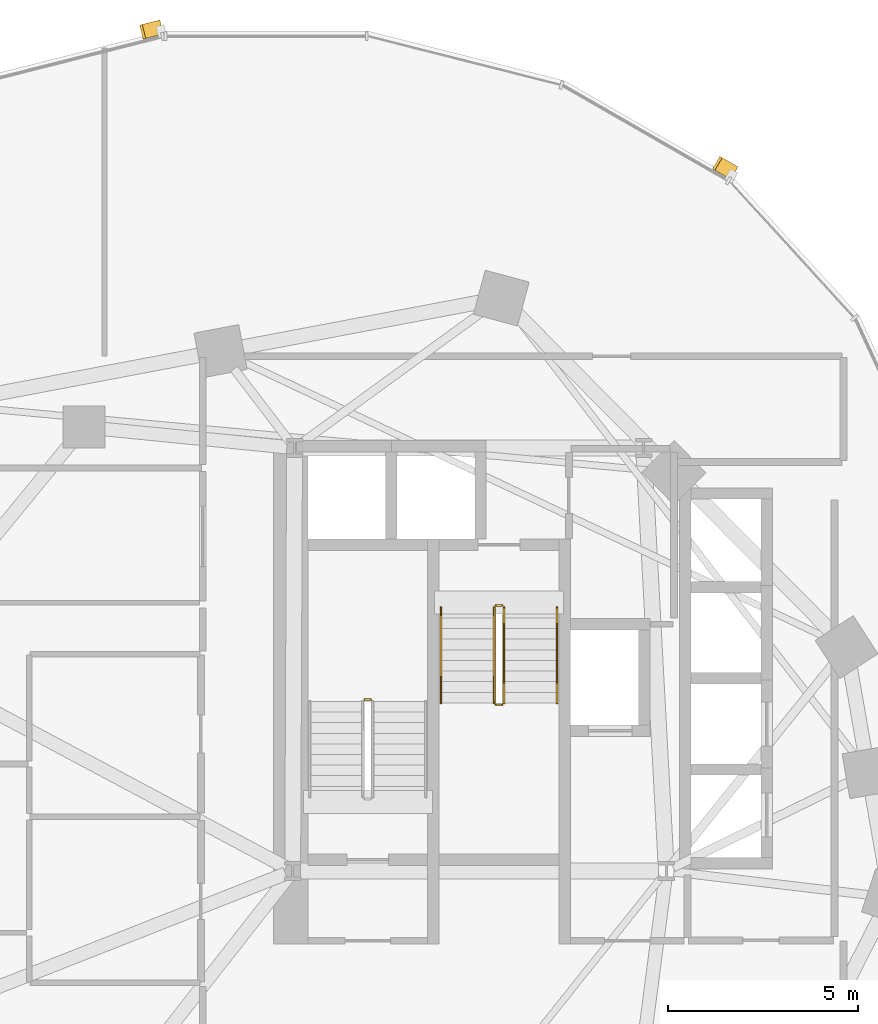
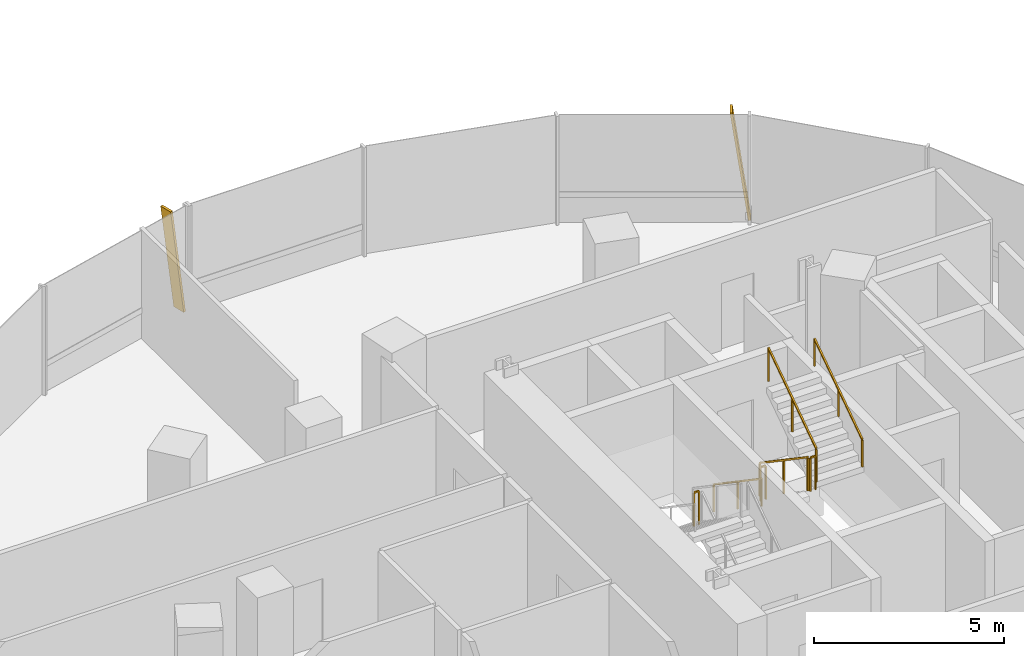
# One storey, part 19 of 21: 7 railings, 2 shading devices.
"""IFC4 building model written with IfcOpenShell, lengths in metres."""

from ifc_helpers import new_model, si_unit, direction, frame, origin, origin_2d, place, context, subcontext, project, spatial, rectangle, extrude, material, material_profile, profile_set, type_object, element, save


model = new_model("IFC4")

# Units and contexts
model_context = context("Model", 3, precision=1e-05, world=origin(), true_north=direction((0.0, 1.0)))
body_context = subcontext(model_context, "Body", "Model", "MODEL_VIEW")
ifc_project = project(units=[si_unit("LENGTHUNIT", "METRE"), si_unit("AREAUNIT", "SQUARE_METRE"), si_unit("VOLUMEUNIT", "CUBIC_METRE"), si_unit("PLANEANGLEUNIT", "RADIAN"), si_unit("MASSUNIT", "GRAM", prefix="KILO"), si_unit("THERMODYNAMICTEMPERATUREUNIT", "KELVIN"), si_unit("POWERUNIT", "WATT")], contexts=[model_context])

# Site, building, storey
site_placement = place(None, origin())
site = spatial("IfcSite", under=ifc_project, at=site_placement, CompositionType="ELEMENT")
building_placement = place(site_placement, origin())
building = spatial("IfcBuilding", under=site, at=building_placement, Name="Cundina Bronze Exchange", CompositionType="ELEMENT")
storey_placement = place(building_placement, frame((0.0, 0.0, 31.60009765625)))
storey = spatial("IfcBuildingStorey", under=building, at=storey_placement, Name="L07", CompositionType="ELEMENT", Elevation=31.60009765625)

# Railings
ifc_material_1 = material(Name="Steel ASTM A36 Painted", Category="steel")
railing_type_1 = type_object("IfcRailingType", Name="RLG-HND-900", PredefinedType="HANDRAIL", material=ifc_material_1)
railing_1_placement = place(storey_placement, frame((-27.389892578125, 10.85009765625, 0.18994140625)))
element("IfcRailing", 1, at=railing_1_placement, inside=storey, type_object=railing_type_1, Name="L07 ST-W2 stair handrail 1", PredefinedType="HANDRAIL", context=body_context, shape_type="SweptSolid", body=[
    extrude(rectangle(XDim=0.048095703125, YDim=0.048095703125, at=origin_2d()), frame((0.0, 0.0, 0.8759765625), z_axis=(0.0, -0.827483756001, 0.561489655786), x_axis=(1.0, 0.0, 0.0)), (0.0, 0.0, 1.0), 3.04541015625),
    extrude(rectangle(XDim=0.0419921875, YDim=0.0419921875, at=origin_2d()), origin(), (0.0, 0.0, 1.0), 0.851806640625),
    extrude(rectangle(XDim=0.0419921875, YDim=0.0419921875, at=origin_2d()), frame((0.0, -1.260009765625, 0.85498046875)), (0.0, 0.0, 1.0), 0.851806640625),
    extrude(rectangle(XDim=0.0419921875, YDim=0.0419921875, at=origin_2d()), frame((0.0, -2.52001953125, 1.7099609375)), (0.0, 0.0, 1.0), 0.851806640625),
])
railing_2_placement = place(storey_placement, frame((-24.330078125, 8.330078125, 2.08984375)))
element("IfcRailing", 2, at=railing_2_placement, inside=storey, type_object=railing_type_1, Name="L07 ST-W2 stair handrail 2", PredefinedType="HANDRAIL", context=body_context, shape_type="SweptSolid", body=[
    extrude(rectangle(XDim=0.048095703125, YDim=0.048095703125, at=origin_2d()), frame((0.0, 0.0, 0.8759765625), z_axis=(0.0, 0.827483756001, 0.561489655786), x_axis=(-1.0, 0.0, 0.0)), (0.0, 0.0, 1.0), 3.04541015625),
    extrude(rectangle(XDim=0.0419921875, YDim=0.0419921875, at=origin_2d()), origin(), (0.0, 0.0, 1.0), 0.851806640625),
    extrude(rectangle(XDim=0.0419921875, YDim=0.0419921875, at=origin_2d()), frame((0.0, 1.260009765625, 0.85498046875)), (0.0, 0.0, 1.0), 0.851806640625),
    extrude(rectangle(XDim=0.0419921875, YDim=0.0419921875, at=origin_2d()), frame((0.0, 2.52001953125, 1.7099609375)), (0.0, 0.0, 1.0), 0.851806640625),
])
railing_type_2 = type_object("IfcRailingType", Name="RLG-STG-1100", PredefinedType="GUARDRAIL", material=ifc_material_1)
railing_3_placement = place(storey_placement, frame((-29.239990234375, 8.419921875, 1.89990234375)))
element("IfcRailing", 3, at=railing_3_placement, inside=storey, type_object=railing_type_2, Name="L07 ST-W1 stair guard 2", PredefinedType="GUARDRAIL", context=body_context, shape_type="SweptSolid", body=[
    extrude(rectangle(XDim=0.048095703125, YDim=0.048095703125, at=origin_2d()), frame((0.0, 0.0, 1.076171875), z_axis=(-1.0, 0.0, 0.0), x_axis=(0.0, -1.0, 0.0)), (0.0, 0.0, 1.0), 0.159912109375),
    extrude(rectangle(XDim=0.0419921875, YDim=0.0419921875, at=origin_2d()), origin(), (0.0, 0.0, 1.0), 1.052001953125),
    extrude(rectangle(XDim=0.0419921875, YDim=0.0419921875, at=origin_2d()), frame((-0.159912109375, 0.0, 0.0)), (0.0, 0.0, 1.0), 1.052001953125),
])
railing_4_placement = place(storey_placement, frame((-25.989990234375, 10.85009765625, 0.18994140625)))
element("IfcRailing", 4, at=railing_4_placement, inside=storey, type_object=railing_type_2, Name="L07 ST-W2 stair guard 1", PredefinedType="GUARDRAIL", context=body_context, shape_type="SweptSolid", body=[
    extrude(rectangle(XDim=0.048095703125, YDim=0.048095703125, at=origin_2d()), frame((0.0, 0.0, 1.076171875), z_axis=(0.0, -0.827483756001, 0.561489655786), x_axis=(1.0, 0.0, 0.0)), (0.0, 0.0, 1.0), 3.04541015625),
    extrude(rectangle(XDim=0.0419921875, YDim=0.0419921875, at=origin_2d()), origin(), (0.0, 0.0, 1.0), 1.052001953125),
    extrude(rectangle(XDim=0.0419921875, YDim=0.0419921875, at=origin_2d()), frame((0.0, -1.260009765625, 0.85498046875)), (0.0, 0.0, 1.0), 1.052001953125),
    extrude(rectangle(XDim=0.0419921875, YDim=0.0419921875, at=origin_2d()), frame((0.0, -2.52001953125, 1.7099609375)), (0.0, 0.0, 1.0), 1.052001953125),
])
railing_5_placement = place(storey_placement, frame((-25.93994140625, 8.280029296875, 1.89990234375)))
element("IfcRailing", 5, at=railing_5_placement, inside=storey, type_object=railing_type_2, Name="L07 ST-W2 stair guard 2", PredefinedType="GUARDRAIL", context=body_context, shape_type="SweptSolid", body=[
    extrude(rectangle(XDim=0.048095703125, YDim=0.048095703125, at=origin_2d()), frame((0.0, 0.0, 1.076171875), z_axis=(1.0, 0.0, 0.0), x_axis=(0.0, 1.0, 0.0)), (0.0, 0.0, 1.0), 0.159912109375),
    extrude(rectangle(XDim=0.0419921875, YDim=0.0419921875, at=origin_2d()), origin(), (0.0, 0.0, 1.0), 1.052001953125),
    extrude(rectangle(XDim=0.0419921875, YDim=0.0419921875, at=origin_2d()), frame((0.159912109375, 0.0, 0.0)), (0.0, 0.0, 1.0), 1.052001953125),
])
railing_6_placement = place(storey_placement, frame((-25.72998046875, 8.330078125, 2.08984375)))
element("IfcRailing", 6, at=railing_6_placement, inside=storey, type_object=railing_type_2, Name="L07 ST-W2 stair guard 3", PredefinedType="GUARDRAIL", context=body_context, shape_type="SweptSolid", body=[
    extrude(rectangle(XDim=0.048095703125, YDim=0.048095703125, at=origin_2d()), frame((0.0, 0.0, 1.076171875), z_axis=(0.0, 0.827483756001, 0.561489655786), x_axis=(-1.0, 0.0, 0.0)), (0.0, 0.0, 1.0), 3.04541015625),
    extrude(rectangle(XDim=0.0419921875, YDim=0.0419921875, at=origin_2d()), origin(), (0.0, 0.0, 1.0), 1.052001953125),
    extrude(rectangle(XDim=0.0419921875, YDim=0.0419921875, at=origin_2d()), frame((0.0, 1.260009765625, 0.85498046875)), (0.0, 0.0, 1.0), 1.052001953125),
    extrude(rectangle(XDim=0.0419921875, YDim=0.0419921875, at=origin_2d()), frame((0.0, 2.52001953125, 1.7099609375)), (0.0, 0.0, 1.0), 1.052001953125),
])
railing_7_placement = place(storey_placement, frame((-25.93994140625, 10.89990234375, 0.0)))
element("IfcRailing", 7, at=railing_7_placement, inside=storey, type_object=railing_type_2, Name="L07 ST-W2 stair guard 4", PredefinedType="GUARDRAIL", context=body_context, shape_type="SweptSolid", body=[
    extrude(rectangle(XDim=0.048095703125, YDim=0.048095703125, at=origin_2d()), frame((0.0, 0.0, 1.076171875), z_axis=(1.0, 0.0, 0.0), x_axis=(0.0, 1.0, 0.0)), (0.0, 0.0, 1.0), 0.159912109375),
    extrude(rectangle(XDim=0.0419921875, YDim=0.0419921875, at=origin_2d()), origin(), (0.0, 0.0, 1.0), 1.052001953125),
    extrude(rectangle(XDim=0.0419921875, YDim=0.0419921875, at=origin_2d()), frame((0.159912109375, 0.0, 0.0)), (0.0, 0.0, 1.0), 1.052001953125),
])

# Shading devices
ifc_material_2 = material(Name="Anodised Bronze Aluminium 6063-T6", Category="aluminium")
ifc_material_profile = material_profile(ifc_material_2, rectangle(XDim=0.070068359375, YDim=0.3798828125, at=origin_2d()), Name="FIN70X380", Category="aluminium")
ifc_profile_set = profile_set([ifc_material_profile], Name="Anodised Bronze Aluminium 6063-T6")
shading_device_type = type_object("IfcShadingDeviceType", Name="SHD-FIN-BRZ380", PredefinedType="USERDEFINED", material=ifc_profile_set)
for number, where, z_axis, x_axis, name in (
    (8, (-19.685791015625, 22.314208984375, 0.02001953125), (-0.119166378275, 0.06842456559, 0.990513731915), (0.85898178632, -0.493221799887, 0.137413779831), "L07 Diagonal Bronze Solar Fin 5"),
    (9, (-34.787353515625, 26.138427734375, 0.02001953125), (-0.133214830938, -0.033688115694, 0.990514472221), (0.960284642503, 0.242842181368, 0.137408443412), "L07 Diagonal Bronze Solar Fin 1"),
):
    element("IfcShadingDevice", number, at=place(storey_placement, frame(where, z_axis=z_axis, x_axis=x_axis)), inside=storey, type_object=shading_device_type, Name=name, ObjectType="FIN", PredefinedType="USERDEFINED", context=body_context, shape_type="SweptSolid", body=[
        extrude(rectangle(XDim=0.070068359375, YDim=0.3798828125, at=origin_2d()), origin(), (0.0, 0.0, 1.0), 3.4931640625),
    ])

save(model, "model.ifc")
